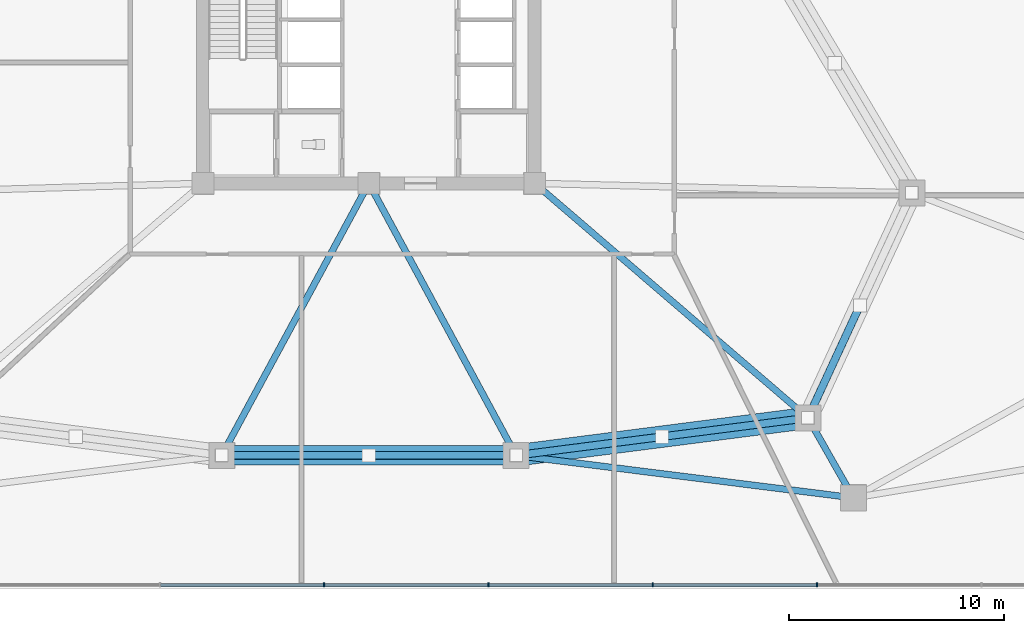
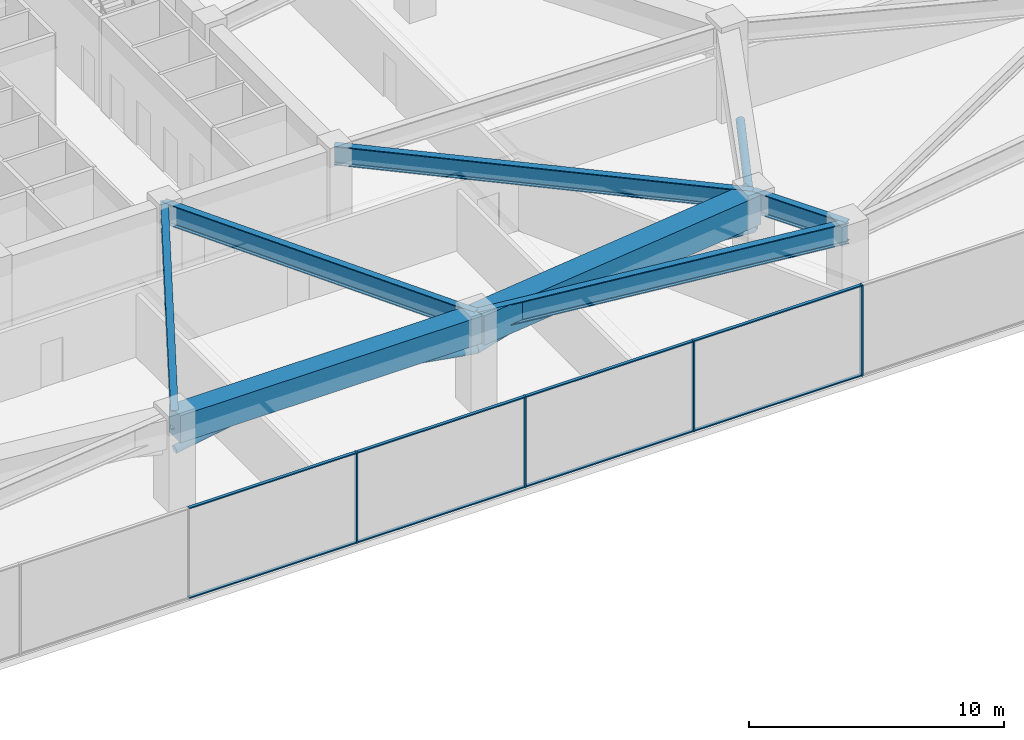
# One storey, part 5 of 23: 17 members, 7 beams, 1 element without a shape of its own.
"""IFC4 building model written with IfcOpenShell, lengths in metres."""

from ifc_helpers import new_model, si_unit, direction, frame, origin, origin_2d, place, context, subcontext, project, spatial, rectangle, hollow_circle, i_section, extrude, material, material_profile, profile_set, type_object, element, aggregate, save


model = new_model("IFC4")

# Units and contexts
model_context = context("Model", 3, precision=1e-05, world=origin(), true_north=direction((0.0, 1.0)))
body_context = subcontext(model_context, "Body", "Model", "MODEL_VIEW")
ifc_project = project(units=[si_unit("LENGTHUNIT", "METRE"), si_unit("AREAUNIT", "SQUARE_METRE"), si_unit("VOLUMEUNIT", "CUBIC_METRE"), si_unit("PLANEANGLEUNIT", "RADIAN"), si_unit("MASSUNIT", "GRAM", prefix="KILO")], contexts=[model_context])

# Site, building, storey
site_placement = place(None, origin())
site = spatial("IfcSite", under=ifc_project, at=site_placement, CompositionType="ELEMENT")
building_placement = place(site_placement, origin())
building = spatial("IfcBuilding", under=site, at=building_placement, Name="Savorim Split Tower", CompositionType="ELEMENT")
storey_placement = place(building_placement, frame((0.0, 0.0, 21.800048828125)))
storey = spatial("IfcBuildingStorey", under=building, at=storey_placement, Name="L05", CompositionType="ELEMENT", Elevation=21.800048828125)

# Beams
ifc_material_1 = material(Name="Steel S460", Category="steel")
ifc_material_profile_1 = material_profile(ifc_material_1, i_section(OverallWidth=0.302001953125, OverallDepth=1.008056640625, WebThickness=0.02099609375, FlangeThickness=0.0400390625, FilletRadius=0.030029296875, at=origin_2d()), Name="HE 1000 M")
ifc_profile_set_1 = profile_set([ifc_material_profile_1], Name="Steel S460")
beam_type_1 = type_object("IfcBeamType", Name="BM-TRF-HEM1000", PredefinedType="BEAM", material=ifc_profile_set_1)
beam_1_placement = place(storey_placement, frame((6.831787109375, -22.03173828125, 3.845947265625), z_axis=(-0.47572005496, 0.879596742438, 0.0), x_axis=(-0.879596742438, -0.47572005496, 0.0)))
element("IfcBeam", 1, at=beam_1_placement, inside=storey, type_object=beam_type_1, Name="L05 Radial Transfer Girder PC-S3", PredefinedType="BEAM", context=body_context, shape_type="SweptSolid", body=[
    extrude(i_section(OverallWidth=0.302001953125, OverallDepth=1.008056640625, WebThickness=0.02099609375, FlangeThickness=0.0400390625, FilletRadius=0.030029296875, at=origin_2d()), origin(), (0.0, 0.0, 1.0), 14.36083984375),
])
beam_2_placement = place(storey_placement, frame((22.5, -24.0, 3.845947265625), z_axis=(-0.992201816191, 0.124641710303, 0.0), x_axis=(-0.124641710303, -0.992201816191, 0.0)))
element("IfcBeam", 2, at=beam_2_placement, inside=storey, type_object=beam_type_1, Name="L05 Podium Primary Girder BG-03", PredefinedType="BEAM", context=body_context, shape_type="SweptSolid", body=[
    extrude(i_section(OverallWidth=0.302001953125, OverallDepth=1.008056640625, WebThickness=0.02099609375, FlangeThickness=0.0400390625, FilletRadius=0.030029296875, at=origin_2d()), origin(), (0.0, 0.0, 1.0), 15.791259765625),
])
beam_3_placement = place(storey_placement, frame((22.5, -24.0, 3.845947265625), z_axis=(-0.495603085314, 0.868549124591, 0.0), x_axis=(-0.868549124591, -0.495603085314, 0.0)))
element("IfcBeam", 3, at=beam_3_placement, inside=storey, type_object=beam_type_1, Name="L05 Podium Primary Girder BG-04", PredefinedType="BEAM", context=body_context, shape_type="SweptSolid", body=[
    extrude(i_section(OverallWidth=0.302001953125, OverallDepth=1.008056640625, WebThickness=0.02099609375, FlangeThickness=0.0400390625, FilletRadius=0.030029296875, at=origin_2d()), origin(), (0.0, 0.0, 1.0), 4.26953125),
])
ifc_material_profile_2 = material_profile(ifc_material_1, i_section(OverallWidth=0.302001953125, OverallDepth=0.909912109375, WebThickness=0.02099609375, FlangeThickness=0.0400390625, FilletRadius=0.030029296875, at=origin_2d()), Name="HE 900 M")
ifc_profile_set_2 = profile_set([ifc_material_profile_2], Name="Steel S460")
beam_type_2 = type_object("IfcBeamType", Name="BM-TRF-HEM900", PredefinedType="BEAM", material=ifc_profile_set_2)
beam_4_placement = place(storey_placement, frame((-6.831787109375, -22.03173828125, 3.89501953125), z_axis=(0.47572005496, 0.879596742438, 0.0), x_axis=(-0.879596742438, 0.47572005496, 0.0)))
element("IfcBeam", 4, at=beam_4_placement, inside=storey, type_object=beam_type_2, Name="L05 Radial Transfer Girder PC-S2", PredefinedType="BEAM", context=body_context, shape_type="SweptSolid", body=[
    extrude(i_section(OverallWidth=0.302001953125, OverallDepth=0.909912109375, WebThickness=0.02099609375, FlangeThickness=0.0400390625, FilletRadius=0.030029296875, at=origin_2d()), origin(), (0.0, 0.0, 1.0), 14.36083984375),
])
beam_5_placement = place(storey_placement, frame((20.384033203125, -20.291748046875, 3.89501953125), z_axis=(-0.758671842154, 0.651472974054, 0.0), x_axis=(-0.651472974054, -0.758671842154, 0.0)))
element("IfcBeam", 5, at=beam_5_placement, inside=storey, type_object=beam_type_2, Name="L05 Radial Transfer Girder PC-S4", PredefinedType="BEAM", context=body_context, shape_type="SweptSolid", body=[
    extrude(i_section(OverallWidth=0.302001953125, OverallDepth=0.909912109375, WebThickness=0.02099609375, FlangeThickness=0.0400390625, FilletRadius=0.030029296875, at=origin_2d()), origin(), (0.0, 0.0, 1.0), 16.71875),
])
ifc_material_2 = material(Name="Concrete C60/75", Category="concrete")
ifc_material_profile_3 = material_profile(ifc_material_2, rectangle(XDim=0.89990234375, YDim=1.300048828125, at=origin_2d()), Name="RC 900x1300")
ifc_profile_set_3 = profile_set([ifc_material_profile_3], Name="Concrete C60/75")
beam_type_3 = type_object("IfcBeamType", Name="BM-TRF-RC1300", PredefinedType="BEAM", material=ifc_profile_set_3)
beam_6_placement = place(storey_placement, frame((-6.831787109375, -22.03173828125, 3.699951171875), z_axis=(1.0, 0.0, 0.0), x_axis=(0.0, 1.0, 0.0)))
element("IfcBeam", 6, at=beam_6_placement, inside=storey, type_object=beam_type_3, Name="L05 Transfer Belt Girder PC-S2-PC-S3", PredefinedType="BEAM", context=body_context, shape_type="SweptSolid", body=[
    extrude(rectangle(XDim=0.89990234375, YDim=1.300048828125, at=origin_2d()), origin(), (0.0, 0.0, 1.0), 13.66357421875),
])
ifc_material_profile_4 = material_profile(ifc_material_2, rectangle(XDim=1.0, YDim=1.39990234375, at=origin_2d()), Name="RC 1000x1400")
ifc_profile_set_4 = profile_set([ifc_material_profile_4], Name="Concrete C60/75")
beam_type_4 = type_object("IfcBeamType", Name="BM-TRF-RC1400", PredefinedType="BEAM", material=ifc_profile_set_4)
beam_7_placement = place(storey_placement, frame((6.831787109375, -22.03173828125, 3.64990234375), z_axis=(0.99185835942, 0.127345965188, 0.0), x_axis=(-0.127345965188, 0.99185835942, 0.0)))
element("IfcBeam", 7, at=beam_7_placement, inside=storey, type_object=beam_type_4, Name="L05 Transfer Belt Girder PC-S3-PC-S4", PredefinedType="BEAM", context=body_context, shape_type="SweptSolid", body=[
    extrude(rectangle(XDim=1.0, YDim=1.39990234375, at=origin_2d()), origin(), (0.0, 0.0, 1.0), 13.66357421875),
])

# Curtain wall, members
ifc_material_3 = material(Name="Dark Ceramic-Fritted Insulated Glass", Category="glass")
curtain_wall_type = type_object("IfcCurtainWallType", Name="CW-REFUGE-LVR", PredefinedType="NOTDEFINED", material=ifc_material_3)
curtain_wall_placement = place(storey_placement, origin())
curtain_wall = element("IfcCurtainWall", 8, at=curtain_wall_placement, inside=storey, type_object=curtain_wall_type, Name="L05 Curtain Wall CW-L05-E04", PredefinedType="NOTDEFINED")
ifc_material_4 = material(Name="Charcoal Anodised Aluminium", Category="aluminium")
ifc_material_profile_5 = material_profile(ifc_material_4, rectangle(XDim=0.179931640625, YDim=0.06494140625, at=origin_2d()), Name="ALU-M 180x65")
ifc_profile_set_5 = profile_set([ifc_material_profile_5], Name="Charcoal Anodised Aluminium")
member_type_1 = type_object("IfcMemberType", Name="CWM-180x65", PredefinedType="MULLION", material=ifc_profile_set_5)
member_1_placement = place(storey_placement, frame((-2.074462890625, -28.0400390625, 0.0), z_axis=(0.0, 0.0, 1.0), x_axis=(0.0, 1.0, 0.0)))
member_1 = element("IfcMember", 9, at=member_1_placement, type_object=member_type_1, Name="CW-06 mullion 4", PredefinedType="MULLION", context=body_context, shape_type="SweptSolid", body=[
    extrude(rectangle(XDim=0.179931640625, YDim=0.06494140625, at=origin_2d()), origin(), (0.0, 0.0, 1.0), 4.349853515625),
])
member_2_placement = place(storey_placement, frame((5.552490234375, -28.0400390625, 0.0), z_axis=(0.0, 0.0, 1.0), x_axis=(0.0, 1.0, 0.0)))
member_2 = element("IfcMember", 10, at=member_2_placement, type_object=member_type_1, Name="CW-06 mullion 5", PredefinedType="MULLION", context=body_context, shape_type="SweptSolid", body=[
    extrude(rectangle(XDim=0.179931640625, YDim=0.06494140625, at=origin_2d()), origin(), (0.0, 0.0, 1.0), 4.349853515625),
])
member_3_placement = place(storey_placement, frame((13.179443359375, -28.0400390625, 0.0), z_axis=(0.0, 0.0, 1.0), x_axis=(0.0, 1.0, 0.0)))
member_3 = element("IfcMember", 11, at=member_3_placement, type_object=member_type_1, Name="CW-06 mullion 6", PredefinedType="MULLION", context=body_context, shape_type="SweptSolid", body=[
    extrude(rectangle(XDim=0.179931640625, YDim=0.06494140625, at=origin_2d()), origin(), (0.0, 0.0, 1.0), 4.349853515625),
])
member_4_placement = place(storey_placement, frame((20.80615234375, -28.0400390625, 0.0), z_axis=(0.0, 0.0, 1.0), x_axis=(0.0, 1.0, 0.0)))
member_4 = element("IfcMember", 12, at=member_4_placement, type_object=member_type_1, Name="CW-06 mullion 7", PredefinedType="MULLION", context=body_context, shape_type="SweptSolid", body=[
    extrude(rectangle(XDim=0.179931640625, YDim=0.06494140625, at=origin_2d()), origin(), (0.0, 0.0, 1.0), 4.349853515625),
])
ifc_material_profile_6 = material_profile(ifc_material_4, rectangle(XDim=0.139892578125, YDim=0.054931640625, at=origin_2d()), Name="ALU-T 140x55")
ifc_profile_set_6 = profile_set([ifc_material_profile_6], Name="Charcoal Anodised Aluminium")
member_type_2 = type_object("IfcMemberType", Name="CWT-140x55", PredefinedType="USERDEFINED", material=ifc_profile_set_6)
member_5_placement = place(storey_placement, frame((-9.668701171875, -28.0400390625, 0.02734375), z_axis=(1.0, 0.0, 0.0), x_axis=(0.0, 1.0, 0.0)))
member_5 = element("IfcMember", 13, at=member_5_placement, type_object=member_type_2, Name="CW-06 transom 3.1", ObjectType="TRANSOM", PredefinedType="USERDEFINED", context=body_context, shape_type="SweptSolid", body=[
    extrude(rectangle(XDim=0.139892578125, YDim=0.054931640625, at=origin_2d()), origin(), (0.0, 0.0, 1.0), 7.561767578125),
])
member_6_placement = place(storey_placement, frame((-9.668701171875, -28.0400390625, 4.322509765625), z_axis=(1.0, 0.0, 0.0), x_axis=(0.0, 1.0, 0.0)))
member_6 = element("IfcMember", 14, at=member_6_placement, type_object=member_type_2, Name="CW-06 transom 3.2", ObjectType="TRANSOM", PredefinedType="USERDEFINED", context=body_context, shape_type="SweptSolid", body=[
    extrude(rectangle(XDim=0.139892578125, YDim=0.054931640625, at=origin_2d()), origin(), (0.0, 0.0, 1.0), 7.561767578125),
])
member_7_placement = place(storey_placement, frame((-2.0419921875, -28.0400390625, 0.02734375), z_axis=(1.0, 0.0, 0.0), x_axis=(0.0, 1.0, 0.0)))
member_7 = element("IfcMember", 15, at=member_7_placement, type_object=member_type_2, Name="CW-06 transom 4.1", ObjectType="TRANSOM", PredefinedType="USERDEFINED", context=body_context, shape_type="SweptSolid", body=[
    extrude(rectangle(XDim=0.139892578125, YDim=0.054931640625, at=origin_2d()), origin(), (0.0, 0.0, 1.0), 7.56201171875),
])
member_8_placement = place(storey_placement, frame((-2.0419921875, -28.0400390625, 4.322509765625), z_axis=(1.0, 0.0, 0.0), x_axis=(0.0, 1.0, 0.0)))
member_8 = element("IfcMember", 16, at=member_8_placement, type_object=member_type_2, Name="CW-06 transom 4.2", ObjectType="TRANSOM", PredefinedType="USERDEFINED", context=body_context, shape_type="SweptSolid", body=[
    extrude(rectangle(XDim=0.139892578125, YDim=0.054931640625, at=origin_2d()), origin(), (0.0, 0.0, 1.0), 7.56201171875),
])
member_9_placement = place(storey_placement, frame((5.5849609375, -28.0400390625, 0.02734375), z_axis=(1.0, 0.0, 0.0), x_axis=(0.0, 1.0, 0.0)))
member_9 = element("IfcMember", 17, at=member_9_placement, type_object=member_type_2, Name="CW-06 transom 5.1", ObjectType="TRANSOM", PredefinedType="USERDEFINED", context=body_context, shape_type="SweptSolid", body=[
    extrude(rectangle(XDim=0.139892578125, YDim=0.054931640625, at=origin_2d()), origin(), (0.0, 0.0, 1.0), 7.56201171875),
])
member_10_placement = place(storey_placement, frame((5.5849609375, -28.0400390625, 4.322509765625), z_axis=(1.0, 0.0, 0.0), x_axis=(0.0, 1.0, 0.0)))
member_10 = element("IfcMember", 18, at=member_10_placement, type_object=member_type_2, Name="CW-06 transom 5.2", ObjectType="TRANSOM", PredefinedType="USERDEFINED", context=body_context, shape_type="SweptSolid", body=[
    extrude(rectangle(XDim=0.139892578125, YDim=0.054931640625, at=origin_2d()), origin(), (0.0, 0.0, 1.0), 7.56201171875),
])
member_11_placement = place(storey_placement, frame((13.2119140625, -28.0400390625, 0.02734375), z_axis=(1.0, 0.0, 0.0), x_axis=(0.0, 1.0, 0.0)))
member_11 = element("IfcMember", 19, at=member_11_placement, type_object=member_type_2, Name="CW-06 transom 6.1", ObjectType="TRANSOM", PredefinedType="USERDEFINED", context=body_context, shape_type="SweptSolid", body=[
    extrude(rectangle(XDim=0.139892578125, YDim=0.054931640625, at=origin_2d()), origin(), (0.0, 0.0, 1.0), 7.561767578125),
])
member_12_placement = place(storey_placement, frame((13.2119140625, -28.0400390625, 4.322509765625), z_axis=(1.0, 0.0, 0.0), x_axis=(0.0, 1.0, 0.0)))
member_12 = element("IfcMember", 20, at=member_12_placement, type_object=member_type_2, Name="CW-06 transom 6.2", ObjectType="TRANSOM", PredefinedType="USERDEFINED", context=body_context, shape_type="SweptSolid", body=[
    extrude(rectangle(XDim=0.139892578125, YDim=0.054931640625, at=origin_2d()), origin(), (0.0, 0.0, 1.0), 7.561767578125),
])
aggregate(curtain_wall, [member_1, member_2, member_3, member_4, member_5, member_6, member_7, member_8, member_9, member_10, member_11, member_12])

# Members
ifc_material_profile_7 = material_profile(ifc_material_1, hollow_circle(Radius=0.177734375, WallThickness=0.02001953125, at=origin_2d()), Name="CHS 355.6x20")
ifc_profile_set_7 = profile_set([ifc_material_profile_7], Name="Steel S460")
member_type_3 = type_object("IfcMemberType", Name="MBR-BLT-CHS355", PredefinedType="BRACE", material=ifc_profile_set_7)
for number, where, z_axis, x_axis, name in (
    (21, (-6.831787109375, -22.03173828125, 2.47998046875), (0.985167795767, 0.0, 0.17159374751), (0.0, 1.0, 0.0), "L05 Transfer Belt Truss Brace 2A"),
    (22, (6.831787109375, -22.03173828125, 2.47998046875), (-0.985167795767, 0.0, 0.17159374751), (0.0, -1.0, 0.0), "L05 Transfer Belt Truss Brace 2B"),
    (23, (6.831787109375, -22.03173828125, 2.47998046875), (0.97714889269, 0.125439794799, 0.171595161339), (-0.127328386793, 0.991860616174, 0.0), "L05 Transfer Belt Truss Brace 3A"),
    (24, (20.384033203125, -20.291748046875, 2.47998046875), (-0.977144576768, -0.125474446824, 0.171594403429), (0.127363543463, -0.991856102364, 0.0), "L05 Transfer Belt Truss Brace 3B"),
):
    element("IfcMember", number, at=place(storey_placement, frame(where, z_axis=z_axis, x_axis=x_axis)), inside=storey, type_object=member_type_3, Name=name, PredefinedType="BRACE", context=body_context, shape_type="SweptSolid", body=[
        extrude(hollow_circle(Radius=0.177734375, WallThickness=0.02001953125, at=origin_2d()), origin(), (0.0, 0.0, 1.0), 6.9345703125),
    ])
member_13_placement = place(storey_placement, frame((20.384033203125, -20.291748046875, 2.47998046875), z_axis=(0.410952677016, 0.888880959668, 0.202505646322), x_axis=(-0.90768724539, 0.41964730972, 0.0)))
element("IfcMember", 25, at=member_13_placement, inside=storey, type_object=member_type_3, Name="L05 Transfer Belt Truss Brace 4A", PredefinedType="BRACE", context=body_context, shape_type="SweptSolid", body=[
    extrude(hollow_circle(Radius=0.177734375, WallThickness=0.02001953125, at=origin_2d()), origin(), (0.0, 0.0, 1.0), 5.8759765625),
])

save(model, "model.ifc")
